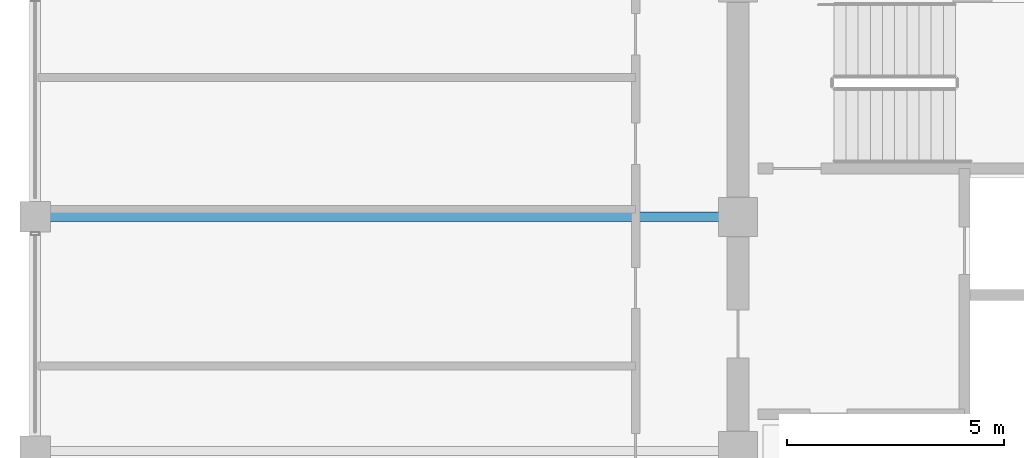
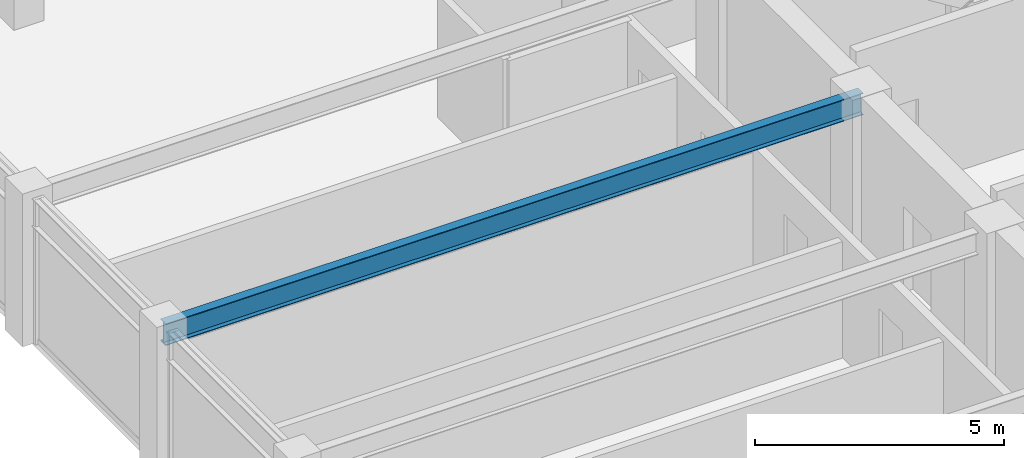
# One storey, part 11 of 30: 1 beam.
"""IFC4 building model written with IfcOpenShell, lengths in metres."""

from ifc_helpers import new_model, si_unit, direction, frame, origin, origin_2d, place, context, subcontext, project, spatial, i_section, extrude, material, material_profile, profile_set, type_object, element, save


model = new_model("IFC4")

# Units and contexts
model_context = context("Model", 3, precision=1e-05, world=origin(), true_north=direction((0.0, 1.0)))
body_context = subcontext(model_context, "Body", "Model", "MODEL_VIEW")
ifc_project = project(units=[si_unit("LENGTHUNIT", "METRE"), si_unit("AREAUNIT", "SQUARE_METRE"), si_unit("VOLUMEUNIT", "CUBIC_METRE"), si_unit("PLANEANGLEUNIT", "RADIAN"), si_unit("MASSUNIT", "GRAM", prefix="KILO")], contexts=[model_context])

# Site, building, storey
site_placement = place(None, origin())
site = spatial("IfcSite", under=ifc_project, at=site_placement, CompositionType="ELEMENT")
building_placement = place(site_placement, origin())
building = spatial("IfcBuilding", under=site, at=building_placement, Name="Surkhivell Harbour Commons", CompositionType="ELEMENT")
storey_placement = place(building_placement, frame((0.0, 0.0, 292.5)))
storey = spatial("IfcBuildingStorey", under=building, at=storey_placement, Name="L76", CompositionType="ELEMENT", Elevation=292.5)

# Beam
ifc_material = material(Name="Steel S355", Category="steel")
ifc_material_profile = material_profile(ifc_material, i_section(OverallWidth=0.2099609375, OverallDepth=0.537109375, WebThickness=0.0107421875, FlangeThickness=0.017333984375, at=origin_2d()), Name="UB533x210x101")
ifc_profile_set = profile_set([ifc_material_profile], Name="Steel S355")
beam_type = type_object("IfcBeamType", Name="BM-GRD-533B", PredefinedType="BEAM", material=ifc_profile_set)
beam_placement = place(storey_placement, frame((-27.0, 5.39990234375, 3.301513671875), z_axis=(1.0, 0.0, 0.0), x_axis=(0.0, 1.0, 0.0)))
element("IfcBeam", 1, at=beam_placement, inside=storey, type_object=beam_type, Name="L76 Floor Girder (-27.0,5.4)", PredefinedType="BEAM", context=body_context, shape_type="SweptSolid", body=[
    extrude(i_section(OverallWidth=0.2099609375, OverallDepth=0.537109375, WebThickness=0.0107421875, FlangeThickness=0.017333984375, at=origin_2d()), origin(), (0.0, 0.0, 1.0), 16.199951171875),
])

save(model, "model.ifc")
